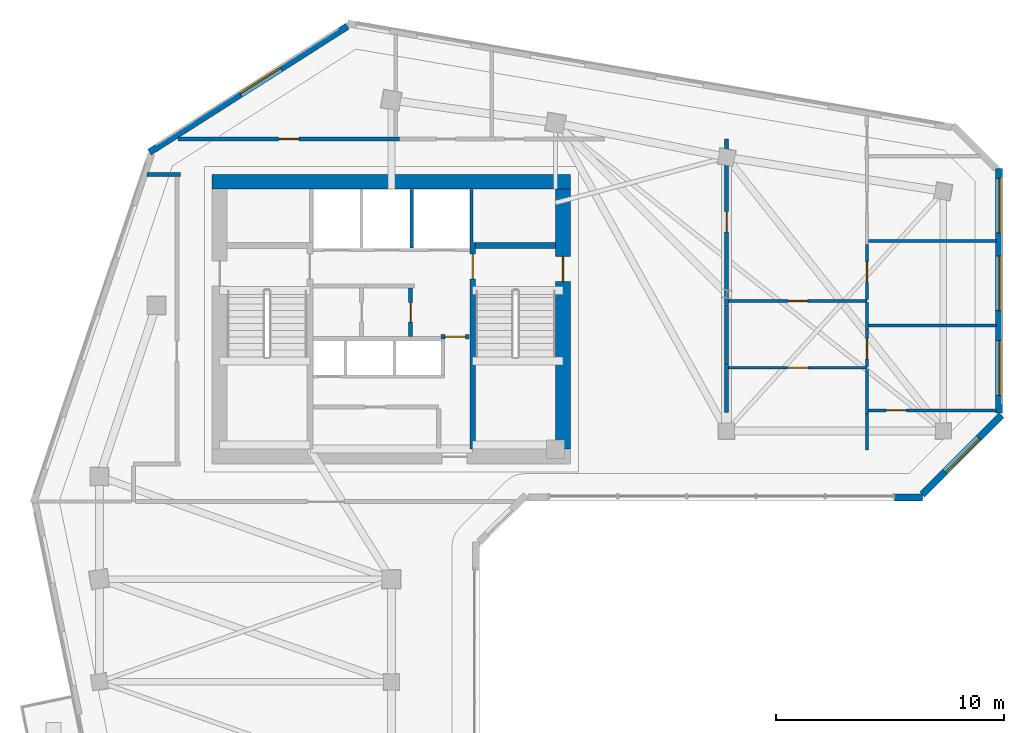
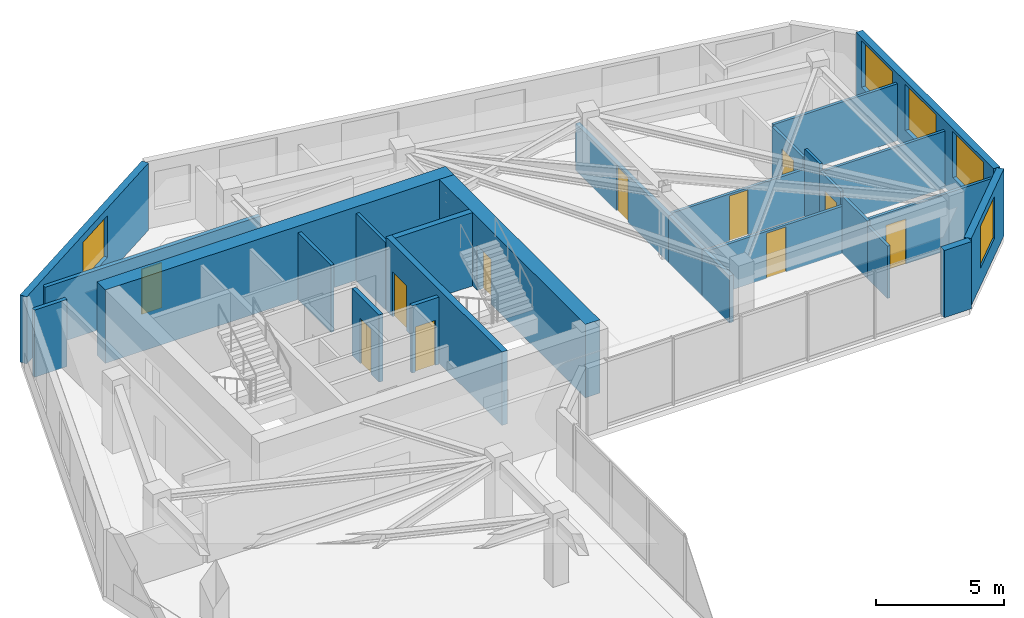
# One storey, part 6 of 10: 27 walls, 11 doors, 5 windows, 16 openings.
"""IFC4 building model written with IfcOpenShell, lengths in metres."""

from ifc_helpers import new_model, si_unit, direction, frame, frame_2d, origin, place, context, subcontext, project, spatial, rectangle, extrude, source, transform, mapped, material, layer, layer_set, type_object, element, fill, save


model = new_model("IFC4")

# Units and contexts
model_context = context("Model", 3, precision=1e-05, world=origin(), true_north=direction((0.0, 1.0)))
body_context = subcontext(model_context, "Body", "Model", "MODEL_VIEW")
ifc_project = project(units=[si_unit("LENGTHUNIT", "METRE"), si_unit("AREAUNIT", "SQUARE_METRE"), si_unit("VOLUMEUNIT", "CUBIC_METRE"), si_unit("PLANEANGLEUNIT", "RADIAN"), si_unit("MASSUNIT", "GRAM", prefix="KILO")], contexts=[model_context])

# Site, building, storey
site_placement = place(None, origin())
site = spatial("IfcSite", under=ifc_project, at=site_placement, CompositionType="ELEMENT")
building_placement = place(site_placement, origin())
building = spatial("IfcBuilding", under=site, at=building_placement, Name="Calvemar Wedge Station Tower", CompositionType="ELEMENT")
storey_placement = place(building_placement, frame((0.0, 0.0, 207.89990234375)))
storey = spatial("IfcBuildingStorey", under=building, at=storey_placement, Name="L52", CompositionType="ELEMENT", Elevation=207.89990234375)

# Wall, opening, door
ifc_material_1 = material(Name="Concrete C50", Category="concrete")
ifc_layer_1 = layer(ifc_material_1, 0.260009765625)
ifc_layer_set_1 = layer_set([ifc_layer_1], Name="Concrete C50")
wall_type_1 = type_object("IfcWallType", Name="SW-CORE-260", PredefinedType="SHEAR", material=ifc_layer_set_1)
wall_1_placement = place(storey_placement, frame((27.3701171875, 34.199951171875, 0.0), z_axis=(0.0, 0.0, 1.0), x_axis=(0.0, 1.0, 0.0)))
wall_1 = element("IfcWall", 1, at=wall_1_placement, inside=storey, type_object=wall_type_1, Name="Storey L52 Core Shear Wall SPINE-E", PredefinedType="SHEAR", context=body_context, shape_type="SweptSolid", body=[
    extrude(rectangle(XDim=9.06005859375, YDim=0.260009765625, at=frame_2d((4.530029296875, 0.0))), origin(), (0.0, 0.0, 1.0), 3.5),
])
shared_shape_1 = source(origin(), body_context, "Body", "SweptSolid", [
    extrude(rectangle(XDim=1.10009765625, YDim=2.14990234375, at=frame_2d((0.550048828125, 1.074951171875))), frame((0.0, 0.14013671875, 0.0), z_axis=(0.0, -1.0, 0.0), x_axis=(1.0, 0.0, 0.0)), (0.0, 0.0, 1.0), 0.280029296875),
])
opening_1_placement = place(wall_1_placement, frame((7.449951171875, 0.0, 0.0)))
opening_1 = element("IfcOpeningElement", 2, at=opening_1_placement, cuts=wall_1, Name="Opening FD-90", PredefinedType="OPENING", context=body_context, shape_type="MappedRepresentation", body=[
    mapped(shared_shape_1, transform((0.0, 0.0, 0.0), scale=1.0)),
])
ifc_material_2 = material(Name="Galvanized fire-rated steel door leaf P-90", Category="steel")
door_type_1 = type_object("IfcDoorType", Name="DR-FD90-1100", OperationType="NOTDEFINED", PredefinedType="DOOR", material=ifc_material_2)
shared_shape_2 = source(origin(), body_context, "Body", "SweptSolid", [
    extrude(rectangle(XDim=1.10009765625, YDim=2.14990234375, at=frame_2d((0.550048828125, 1.074951171875))), frame((0.0, 0.02490234375, 0.0), z_axis=(0.0, -1.0, 0.0), x_axis=(1.0, 0.0, 0.0)), (0.0, 0.0, 1.0), 0.050048828125),
])
door_1_placement = place(opening_1_placement, origin())
door_1 = element("IfcDoor", 3, at=door_1_placement, inside=storey, type_object=door_type_1, Name="L52 FF Lobby to Stair ST-C2 Door", OperationType="SINGLE_SWING_RIGHT", OverallHeight=2.14990234375, OverallWidth=1.10009765625, PredefinedType="DOOR", context=body_context, shape_type="MappedRepresentation", body=[
    mapped(shared_shape_2, transform((0.0, 0.0, 0.0), scale=1.0)),
])
fill(opening_1, door_1)

# Walls
wall_2_placement = place(storey_placement, frame((27.5, 43.1298828125, 0.0), z_axis=(0.0, 0.0, 1.0), x_axis=(1.0, 0.0, 0.0)))
element("IfcWall", 4, at=wall_2_placement, inside=storey, type_object=wall_type_1, Name="Storey L52 Core Shear Wall STC2-N", PredefinedType="SHEAR", context=body_context, shape_type="SweptSolid", body=[
    extrude(rectangle(XDim=3.5, YDim=0.260009765625, at=frame_2d((1.75, 0.0))), origin(), (0.0, 0.0, 1.0), 3.5),
])
ifc_material_3 = material(Name="Concrete C60", Category="concrete")
ifc_layer_2 = layer(ifc_material_3, 0.64990234375)
ifc_layer_set_2 = layer_set([ifc_layer_2], Name="Concrete C60")
wall_type_2 = type_object("IfcWallType", Name="SW-CORE-650", PredefinedType="SHEAR", material=ifc_layer_set_2)
wall_3_placement = place(storey_placement, frame((15.949951171875, 45.925048828125, 0.0), z_axis=(0.0, 0.0, 1.0), x_axis=(1.0, 0.0, 0.0)))
element("IfcWall", 5, at=wall_3_placement, inside=storey, type_object=wall_type_2, Name="Storey L52 Core Shear Wall N", PredefinedType="SHEAR", context=body_context, shape_type="SweptSolid", body=[
    extrude(rectangle(XDim=15.699951171875, YDim=0.64990234375, at=frame_2d((7.85009765625, 0.0))), origin(), (0.0, 0.0, 1.0), 3.5),
])

# Wall, opening, door
wall_4_placement = place(storey_placement, frame((31.324951171875, 34.199951171875, 0.0), z_axis=(0.0, 0.0, 1.0), x_axis=(0.0, 1.0, 0.0)))
wall_4 = element("IfcWall", 6, at=wall_4_placement, inside=storey, type_object=wall_type_2, Name="Storey L52 Core Shear Wall E", PredefinedType="SHEAR", context=body_context, shape_type="SweptSolid", body=[
    extrude(rectangle(XDim=11.400146484375, YDim=0.64990234375, at=frame_2d((5.7001953125, 0.0))), origin(), (0.0, 0.0, 1.0), 3.5),
])
shared_shape_3 = source(origin(), body_context, "Body", "SweptSolid", [
    extrude(rectangle(XDim=1.10009765625, YDim=2.14990234375, at=frame_2d((0.550048828125, 1.074951171875))), frame((0.0, 0.3349609375, 0.0), z_axis=(0.0, -1.0, 0.0), x_axis=(1.0, 0.0, 0.0)), (0.0, 0.0, 1.0), 0.669921875),
])
opening_2_placement = place(wall_4_placement, frame((7.35009765625, 0.0, 0.0)))
opening_2 = element("IfcOpeningElement", 7, at=opening_2_placement, cuts=wall_4, Name="Opening FD-90", PredefinedType="OPENING", context=body_context, shape_type="MappedRepresentation", body=[
    mapped(shared_shape_3, transform((0.0, 0.0, 0.0), scale=1.0)),
])
door_2_placement = place(opening_2_placement, origin())
door_2 = element("IfcDoor", 8, at=door_2_placement, inside=storey, type_object=door_type_1, Name="L52 East Corridor to Exit Stair ST-C2 Door", OperationType="SINGLE_SWING_RIGHT", OverallHeight=2.14990234375, OverallWidth=1.10009765625, PredefinedType="DOOR", context=body_context, shape_type="MappedRepresentation", body=[
    mapped(shared_shape_2, transform((0.0, 0.0, 0.0), scale=1.0)),
])
fill(opening_2, door_2)

ifc_material_4 = material(Name="Double-stud fire-rated corridor partition")
ifc_layer_3 = layer(ifc_material_4, 0.179931640625)
ifc_layer_set_3 = layer_set([ifc_layer_3], Name="Double-stud fire-rated corridor partition")
wall_type_3 = type_object("IfcWallType", Name="W-CORR-180", PredefinedType="PARTITIONING", material=ifc_layer_set_3)
wall_5_placement = place(storey_placement, frame((24.64990234375, 41.256103515625, 0.0), z_axis=(0.0, 0.0, 1.0), x_axis=(0.0, -1.0, 0.0)))
wall_5 = element("IfcWall", 9, at=wall_5_placement, inside=storey, type_object=wall_type_3, Name="Storey L52 Interior Partition WL-L52-004", PredefinedType="PARTITIONING", context=body_context, shape_type="SweptSolid", body=[
    extrude(rectangle(XDim=2.106201171875, YDim=0.179931640625, at=frame_2d((1.05322265625, 0.0))), origin(), (0.0, 0.0, 1.0), 3.2001953125),
])
shared_shape_4 = source(origin(), body_context, "Body", "SweptSolid", [
    extrude(rectangle(XDim=0.85009765625, YDim=2.14990234375, at=frame_2d((0.425048828125, 1.074951171875))), frame((0.0, 0.10009765625, 0.0), z_axis=(0.0, -1.0, 0.0), x_axis=(1.0, 0.0, 0.0)), (0.0, 0.0, 1.0), 0.199951171875),
])
opening_3_placement = place(wall_5_placement, frame((0.6279296875, 0.0, 0.0)))
opening_3 = element("IfcOpeningElement", 10, at=opening_3_placement, cuts=wall_5, Name="Opening FD-60S", PredefinedType="OPENING", context=body_context, shape_type="MappedRepresentation", body=[
    mapped(shared_shape_4, transform((0.0, 0.0, 0.0), scale=1.0)),
])
ifc_material_5 = material(Name="Fire-rated steel and hardwood service door EI 60", Category="steel")
door_type_2 = type_object("IfcDoorType", Name="DR-CORE-FD60-850", OperationType="NOTDEFINED", PredefinedType="DOOR", material=ifc_material_5)
shared_shape_5 = source(origin(), body_context, "Body", "SweptSolid", [
    extrude(rectangle(XDim=0.85009765625, YDim=2.14990234375, at=frame_2d((0.425048828125, 1.074951171875))), frame((0.0, 0.02490234375, 0.0), z_axis=(0.0, -1.0, 0.0), x_axis=(1.0, 0.0, 0.0)), (0.0, 0.0, 1.0), 0.050048828125),
])
door_3_placement = place(opening_3_placement, origin())
door_3 = element("IfcDoor", 11, at=door_3_placement, inside=storey, type_object=door_type_2, Name="L52 Core Equipment Store Door", OperationType="SINGLE_SWING_LEFT", OverallHeight=2.14990234375, OverallWidth=0.85009765625, PredefinedType="DOOR", context=body_context, shape_type="MappedRepresentation", body=[
    mapped(shared_shape_5, transform((0.0, 0.0, 0.0), scale=1.0)),
])
fill(opening_3, door_3)

wall_6_placement = place(storey_placement, frame((27.199951171875, 39.1298828125, 0.0), z_axis=(0.0, 0.0, 1.0), x_axis=(-1.0, 0.0, 0.0)))
wall_6 = element("IfcWall", 12, at=wall_6_placement, inside=storey, type_object=wall_type_3, Name="Storey L52 Interior Partition WL-L52-005", PredefinedType="PARTITIONING", context=body_context, shape_type="SweptSolid", body=[
    extrude(rectangle(XDim=1.2099609375, YDim=0.179931640625, at=frame_2d((0.60498046875, 0.0))), origin(), (0.0, 0.0, 1.0), 3.2001953125),
])
shared_shape_6 = source(origin(), body_context, "Body", "SweptSolid", [
    extrude(rectangle(XDim=0.89990234375, YDim=2.14990234375, at=frame_2d((0.449951171875, 1.074951171875))), frame((0.0, 0.10009765625, 0.0), z_axis=(0.0, -1.0, 0.0), x_axis=(1.0, 0.0, 0.0)), (0.0, 0.0, 1.0), 0.199951171875),
])
opening_4_placement = place(wall_6_placement, frame((0.155029296875, 0.0, 0.0)))
opening_4 = element("IfcOpeningElement", 13, at=opening_4_placement, cuts=wall_6, Name="Opening FD-60", PredefinedType="OPENING", context=body_context, shape_type="MappedRepresentation", body=[
    mapped(shared_shape_6, transform((0.0, 0.0, 0.0), scale=1.0)),
])
ifc_material_6 = material(Name="Fire-rated acoustic timber-core entrance door EI 60", Category="wood")
door_type_3 = type_object("IfcDoorType", Name="DR-FD60-900", OperationType="NOTDEFINED", PredefinedType="DOOR", material=ifc_material_6)
shared_shape_7 = source(origin(), body_context, "Body", "SweptSolid", [
    extrude(rectangle(XDim=0.89990234375, YDim=2.14990234375, at=frame_2d((0.449951171875, 1.074951171875))), frame((0.0, 0.02490234375, 0.0), z_axis=(0.0, -1.0, 0.0), x_axis=(1.0, 0.0, 0.0)), (0.0, 0.0, 1.0), 0.050048828125),
])
door_4_placement = place(opening_4_placement, origin())
door_4 = element("IfcDoor", 14, at=door_4_placement, inside=storey, type_object=door_type_3, Name="L52 Core Service Lobby Door", OperationType="SINGLE_SWING_RIGHT", OverallHeight=2.14990234375, OverallWidth=0.89990234375, PredefinedType="DOOR", context=body_context, shape_type="MappedRepresentation", body=[
    mapped(shared_shape_7, transform((0.0, 0.0, 0.0), scale=1.0)),
])
fill(opening_4, door_4)

# Wall
wall_7_placement = place(storey_placement, frame((14.56005859375, 46.25, 0.0), z_axis=(0.0, 0.0, 1.0), x_axis=(-1.0, 0.0, 0.0)))
element("IfcWall", 15, at=wall_7_placement, inside=storey, type_object=wall_type_3, Name="Storey L52 Interior Partition WL-L52-012", PredefinedType="PARTITIONING", context=body_context, shape_type="SweptSolid", body=[
    extrude(rectangle(XDim=1.46875, YDim=0.179931640625, at=frame_2d((0.734375, 0.0))), origin(), (0.0, 0.0, 1.0), 3.2001953125),
])

# Wall, opening, door
wall_8_placement = place(storey_placement, frame((14.45263671875, 47.800048828125, 0.0), z_axis=(0.0, 0.0, 1.0), x_axis=(1.0, 0.0, 0.0)))
wall_8 = element("IfcWall", 16, at=wall_8_placement, inside=storey, type_object=wall_type_3, Name="Storey L52 Interior Partition WL-L52-013", PredefinedType="PARTITIONING", context=body_context, shape_type="SweptSolid", body=[
    extrude(rectangle(XDim=9.707275390625, YDim=0.179931640625, at=frame_2d((4.853515625, 0.0))), origin(), (0.0, 0.0, 1.0), 2.869140625),
])
opening_5_placement = place(wall_8_placement, frame((4.40380859375, 0.0, 0.0)))
opening_5 = element("IfcOpeningElement", 17, at=opening_5_placement, cuts=wall_8, Name="Opening D-01", PredefinedType="OPENING", context=body_context, shape_type="MappedRepresentation", body=[
    mapped(shared_shape_6, transform((0.0, 0.0, 0.0), scale=1.0)),
])
ifc_material_7 = material(Name="Architectural hardwood acoustic swing door", Category="wood")
door_type_4 = type_object("IfcDoorType", Name="DR-INT-900", OperationType="NOTDEFINED", PredefinedType="DOOR", material=ifc_material_7)
shared_shape_8 = source(origin(), body_context, "Body", "SweptSolid", [
    extrude(rectangle(XDim=0.89990234375, YDim=2.14990234375, at=frame_2d((0.449951171875, 1.074951171875))), frame((0.0, 0.02490234375, 0.0), z_axis=(0.0, -1.0, 0.0), x_axis=(1.0, 0.0, 0.0)), (0.0, 0.0, 1.0), 0.050048828125),
])
door_5_placement = place(opening_5_placement, origin())
door_5 = element("IfcDoor", 18, at=door_5_placement, inside=storey, type_object=door_type_4, Name="L52 Fitness Studio Door", OperationType="SINGLE_SWING_LEFT", OverallHeight=2.14990234375, OverallWidth=0.89990234375, PredefinedType="DOOR", context=body_context, shape_type="MappedRepresentation", body=[
    mapped(shared_shape_8, transform((0.0, 0.0, 0.0), scale=1.0)),
])
fill(opening_5, door_5)

# Wall
wall_9_placement = place(storey_placement, frame((38.5, 37.927978515625, 0.0), z_axis=(0.0, 0.0, 1.0), x_axis=(0.0, -1.0, 0.0)))
element("IfcWall", 19, at=wall_9_placement, inside=storey, type_object=wall_type_3, Name="Storey L52 Interior Partition WL-L52-019", PredefinedType="PARTITIONING", context=body_context, shape_type="SweptSolid", body=[
    extrude(rectangle(XDim=2.1279296875, YDim=0.179931640625, at=frame_2d((1.06396484375, 0.0))), origin(), (0.0, 0.0, 1.0), 2.2421875),
])

# Wall, opening, door
wall_10_placement = place(storey_placement, frame((38.5, 47.800048828125, 0.0), z_axis=(0.0, 0.0, 1.0), x_axis=(0.0, -1.0, 0.0)))
wall_10 = element("IfcWall", 20, at=wall_10_placement, inside=storey, type_object=wall_type_3, Name="Storey L52 Interior Partition WL-L52-020", PredefinedType="PARTITIONING", context=body_context, shape_type="SweptSolid", body=[
    extrude(rectangle(XDim=7.26708984375, YDim=0.179931640625, at=frame_2d((3.633544921875, 0.0))), origin(), (0.0, 0.0, 1.0), 2.2421875),
])
opening_6_placement = place(wall_10_placement, frame((3.18359375, 0.0, 0.0)))
opening_6 = element("IfcOpeningElement", 21, at=opening_6_placement, cuts=wall_10, Name="Opening FD-60", PredefinedType="OPENING", context=body_context, shape_type="MappedRepresentation", body=[
    mapped(shared_shape_6, transform((0.0, 0.0, 0.0), scale=1.0)),
])
door_6_placement = place(opening_6_placement, origin())
door_6 = element("IfcDoor", 22, at=door_6_placement, inside=storey, type_object=door_type_3, Name="L52 Living Dining Door", OperationType="SINGLE_SWING_LEFT", OverallHeight=2.14990234375, OverallWidth=0.89990234375, PredefinedType="DOOR", context=body_context, shape_type="MappedRepresentation", body=[
    mapped(shared_shape_7, transform((0.0, 0.0, 0.0), scale=1.0)),
])
fill(opening_6, door_6)

# Walls
wall_11_placement = place(storey_placement, frame((38.5, 40.531005859375, 0.0), z_axis=(0.0, 0.0, 1.0), x_axis=(0.0, -1.0, 0.0)))
element("IfcWall", 23, at=wall_11_placement, inside=storey, type_object=wall_type_3, Name="Storey L52 Interior Partition WL-L52-021", PredefinedType="PARTITIONING", context=body_context, shape_type="SweptSolid", body=[
    extrude(rectangle(XDim=2.60107421875, YDim=0.179931640625, at=frame_2d((1.300537109375, 0.0))), origin(), (0.0, 0.0, 1.0), 2.2421875),
])
ifc_material_8 = material(Name="Precast concrete C45", Category="concrete")
ifc_layer_4 = layer(ifc_material_8, 0.300048828125)
ifc_layer_set_4 = layer_set([ifc_layer_4], Name="Precast concrete C45")
wall_type_4 = type_object("IfcWallType", Name="W-EXT-GFRC-300", PredefinedType="SOLIDWALL", material=ifc_layer_set_4)
wall_12_placement = place(storey_placement, frame((45.8603515625, 32.073974609375, 0.0), z_axis=(0.0, 0.0, 1.0), x_axis=(1.0, 0.0, 0.0)))
element("IfcWall", 24, at=wall_12_placement, inside=storey, type_object=wall_type_4, Name="Storey L52 Bronze GFRC Corner Pier 6B", PredefinedType="SOLIDWALL", context=body_context, shape_type="SweptSolid", body=[
    extrude(rectangle(XDim=1.2275390625, YDim=0.300048828125, at=frame_2d((0.61376953125, 0.0))), origin(), (0.0, 0.0, 1.0), 3.2001953125),
])

# Wall, opening, window
wall_13_placement = place(storey_placement, frame((47.075927734375, 32.2119140625, 0.0), z_axis=(0.0, 0.0, 1.0), x_axis=(0.707106781187, 0.707106781187, 0.0)))
wall_13 = element("IfcWall", 25, at=wall_13_placement, inside=storey, type_object=wall_type_4, Name="Storey L52 Bronze GFRC Exterior Wall 7", PredefinedType="SOLIDWALL", context=body_context, shape_type="SweptSolid", body=[
    extrude(rectangle(XDim=4.921875, YDim=0.300048828125, at=frame_2d((2.4609375, 0.0))), origin(), (0.0, 0.0, 1.0), 3.2001953125),
])
shared_shape_9 = source(origin(), body_context, "Body", "SweptSolid", [
    extrude(rectangle(XDim=2.10009765625, YDim=2.0, at=frame_2d((1.050048828125, 1.0))), frame((0.0, 0.16015625, 0.0), z_axis=(0.0, -1.0, 0.0), x_axis=(1.0, 0.0, 0.0)), (0.0, 0.0, 1.0), 0.320068359375),
])
opening_7_placement = place(wall_13_placement, frame((1.410888671875, 0.0, 0.85009765625)))
opening_7 = element("IfcOpeningElement", 26, at=opening_7_placement, cuts=wall_13, Name="Opening W4", PredefinedType="OPENING", context=body_context, shape_type="MappedRepresentation", body=[
    mapped(shared_shape_9, transform((0.0, 0.0, 0.0), scale=1.0)),
])
ifc_material_9 = material(Name="Low-E laminated insulated glass", Category="glass")
window_type_1 = type_object("IfcWindowType", Name="WIN-EXT-4", PartitioningType="SINGLE_PANEL", PredefinedType="WINDOW", material=ifc_material_9)
shared_shape_10 = source(origin(), body_context, "Body", "SweptSolid", [
    extrude(rectangle(XDim=2.10009765625, YDim=2.0, at=frame_2d((1.050048828125, 1.0))), frame((0.0, -0.014892578125, 0.0), z_axis=(0.0, -1.0, 0.0), x_axis=(1.0, 0.0, 0.0)), (0.0, 0.0, 1.0), 0.06005859375),
])
window_1_placement = place(opening_7_placement, origin())
window_1 = element("IfcWindow", 27, at=window_1_placement, inside=storey, type_object=window_type_1, Name="Storey L52 Recessed Window 7.1", OverallHeight=2.0, OverallWidth=2.10009765625, PartitioningType="SINGLE_PANEL", PredefinedType="WINDOW", context=body_context, shape_type="MappedRepresentation", body=[
    mapped(shared_shape_10, transform((0.0, 0.0, 0.0), scale=1.0)),
])
fill(opening_7, window_1)

# Wall, openings, windows
wall_14_placement = place(storey_placement, frame((50.449951171875, 35.78125, 0.0), z_axis=(0.0, 0.0, 1.0), x_axis=(0.0, 1.0, 0.0)))
wall_14 = element("IfcWall", 28, at=wall_14_placement, inside=storey, type_object=wall_type_4, Name="Storey L52 Bronze GFRC Exterior Wall 8", PredefinedType="SOLIDWALL", context=body_context, shape_type="SweptSolid", body=[
    extrude(rectangle(XDim=10.730712890625, YDim=0.300048828125, at=frame_2d((5.365234375, 0.0))), origin(), (0.0, 0.0, 1.0), 3.2001953125),
])
shared_shape_11 = source(origin(), body_context, "Body", "SweptSolid", [
    extrude(rectangle(XDim=2.39990234375, YDim=2.199951171875, at=frame_2d((1.199951171875, 1.10009765625))), frame((0.0, 0.16015625, 0.0), z_axis=(0.0, -1.0, 0.0), x_axis=(1.0, 0.0, 0.0)), (0.0, 0.0, 1.0), 0.320068359375),
])
opening_8_placement = place(wall_14_placement, frame((0.778076171875, 0.0, 0.85009765625)))
opening_8 = element("IfcOpeningElement", 29, at=opening_8_placement, cuts=wall_14, Name="Opening W1", PredefinedType="OPENING", context=body_context, shape_type="MappedRepresentation", body=[
    mapped(shared_shape_11, transform((0.0, 0.0, 0.0), scale=1.0)),
])
opening_9_placement = place(wall_14_placement, frame((4.490966796875, 0.0, 0.85009765625)))
opening_9 = element("IfcOpeningElement", 30, at=opening_9_placement, cuts=wall_14, Name="Opening W1", PredefinedType="OPENING", context=body_context, shape_type="MappedRepresentation", body=[
    mapped(shared_shape_11, transform((0.0, 0.0, 0.0), scale=1.0)),
])
opening_10_placement = place(wall_14_placement, frame((7.888916015625, 0.0, 0.85009765625)))
opening_10 = element("IfcOpeningElement", 31, at=opening_10_placement, cuts=wall_14, Name="Opening W1", PredefinedType="OPENING", context=body_context, shape_type="MappedRepresentation", body=[
    mapped(shared_shape_11, transform((0.0, 0.0, 0.0), scale=1.0)),
])
window_type_2 = type_object("IfcWindowType", Name="WIN-EXT-1", PartitioningType="SINGLE_PANEL", PredefinedType="WINDOW", material=ifc_material_9)
shared_shape_12 = source(origin(), body_context, "Body", "SweptSolid", [
    extrude(rectangle(XDim=2.39990234375, YDim=2.199951171875, at=frame_2d((1.199951171875, 1.10009765625))), frame((0.0, -0.014892578125, 0.0), z_axis=(0.0, -1.0, 0.0), x_axis=(1.0, 0.0, 0.0)), (0.0, 0.0, 1.0), 0.06005859375),
])
window_2_placement = place(opening_8_placement, origin())
window_2 = element("IfcWindow", 32, at=window_2_placement, inside=storey, type_object=window_type_2, Name="Storey L52 Recessed Window 8.1", OverallHeight=2.199951171875, OverallWidth=2.39990234375, PartitioningType="SINGLE_PANEL", PredefinedType="WINDOW", context=body_context, shape_type="MappedRepresentation", body=[
    mapped(shared_shape_12, transform((0.0, 0.0, 0.0), scale=1.0)),
])
fill(opening_8, window_2)
window_3_placement = place(opening_9_placement, origin())
window_3 = element("IfcWindow", 33, at=window_3_placement, inside=storey, type_object=window_type_2, Name="Storey L52 Recessed Window 8.2", OverallHeight=2.199951171875, OverallWidth=2.39990234375, PartitioningType="SINGLE_PANEL", PredefinedType="WINDOW", context=body_context, shape_type="MappedRepresentation", body=[
    mapped(shared_shape_12, transform((0.0, 0.0, 0.0), scale=1.0)),
])
fill(opening_9, window_3)
window_4_placement = place(opening_10_placement, origin())
window_4 = element("IfcWindow", 34, at=window_4_placement, inside=storey, type_object=window_type_2, Name="Storey L52 Recessed Window 8.3", OverallHeight=2.199951171875, OverallWidth=2.39990234375, PartitioningType="SINGLE_PANEL", PredefinedType="WINDOW", context=body_context, shape_type="MappedRepresentation", body=[
    mapped(shared_shape_12, transform((0.0, 0.0, 0.0), scale=1.0)),
])
fill(opening_10, window_4)

# Wall, opening, window
wall_15_placement = place(storey_placement, frame((21.87451171875, 52.7421875, 0.0), z_axis=(0.0, 0.0, 1.0), x_axis=(-0.843666375448, -0.536867811419, 0.0)))
wall_15 = element("IfcWall", 35, at=wall_15_placement, inside=storey, type_object=wall_type_4, Name="Storey L52 Bronze GFRC Exterior Wall 11", PredefinedType="SOLIDWALL", context=body_context, shape_type="SweptSolid", body=[
    extrude(rectangle(XDim=10.28369140625, YDim=0.300048828125, at=frame_2d((5.141845703125, 0.0))), origin(), (0.0, 0.0, 1.0), 3.2001953125),
])
opening_11_placement = place(wall_15_placement, frame((3.45703125, 0.0, 0.85009765625)))
opening_11 = element("IfcOpeningElement", 36, at=opening_11_placement, cuts=wall_15, Name="Opening W4", PredefinedType="OPENING", context=body_context, shape_type="MappedRepresentation", body=[
    mapped(shared_shape_9, transform((0.0, 0.0, 0.0), scale=1.0)),
])
window_5_placement = place(opening_11_placement, origin())
window_5 = element("IfcWindow", 37, at=window_5_placement, inside=storey, type_object=window_type_1, Name="Storey L52 Recessed Window 11.1", OverallHeight=2.0, OverallWidth=2.10009765625, PartitioningType="SINGLE_PANEL", PredefinedType="WINDOW", context=body_context, shape_type="MappedRepresentation", body=[
    mapped(shared_shape_10, transform((0.0, 0.0, 0.0), scale=1.0)),
])
fill(opening_11, window_5)

# Walls
ifc_material_10 = material(Name="Reinforced concrete blockwork lift shaft wall", Category="masonry")
ifc_layer_5 = layer(ifc_material_10, 0.139892578125)
ifc_layer_set_5 = layer_set([ifc_layer_5], Name="Reinforced concrete blockwork lift shaft wall")
wall_type_5 = type_object("IfcWallType", Name="W-LIFT-160", PredefinedType="SOLIDWALL", material=ifc_layer_set_5)
wall_16_placement = place(storey_placement, frame((27.31005859375, 43.280029296875, 0.0), z_axis=(0.0, 0.0, 1.0), x_axis=(0.0, 1.0, 0.0)))
element("IfcWall", 38, at=wall_16_placement, inside=storey, type_object=wall_type_5, Name="Storey L52 Firefighting Lift Shaft Enclosure Wall E", PredefinedType="SOLIDWALL", context=body_context, shape_type="SweptSolid", body=[
    extrude(rectangle(XDim=2.300048828125, YDim=0.139892578125, at=frame_2d((1.14990234375, 0.0))), origin(), (0.0, 0.0, 1.0), 3.2001953125),
])
wall_17_placement = place(storey_placement, frame((24.699951171875, 43.02001953125, 0.0), z_axis=(0.0, 0.0, 1.0), x_axis=(0.0, 1.0, 0.0)))
element("IfcWall", 39, at=wall_17_placement, inside=storey, type_object=wall_type_5, Name="Storey L52 Firefighting Lift Shaft Enclosure Wall D2", PredefinedType="SOLIDWALL", context=body_context, shape_type="SweptSolid", body=[
    extrude(rectangle(XDim=2.56005859375, YDim=0.139892578125, at=frame_2d((1.280029296875, 0.0))), origin(), (0.0, 0.0, 1.0), 3.2001953125),
])

# Wall, opening, door
ifc_material_11 = material(Name="Insulated acoustic gypsum stud partition")
ifc_layer_6 = layer(ifc_material_11, 0.125)
ifc_layer_set_6 = layer_set([ifc_layer_6], Name="Insulated acoustic gypsum stud partition")
wall_type_6 = type_object("IfcWallType", Name="W-PART-125", PredefinedType="PARTITIONING", material=ifc_layer_set_6)
wall_18_placement = place(storey_placement, frame((38.593994140625, 37.76806640625, 0.0), z_axis=(0.0, 0.0, 1.0), x_axis=(1.0, 0.0, 0.0)))
wall_18 = element("IfcWall", 40, at=wall_18_placement, inside=storey, type_object=wall_type_6, Name="Storey L52 Interior Partition WL-L52-022", PredefinedType="PARTITIONING", context=body_context, shape_type="SweptSolid", body=[
    extrude(rectangle(XDim=6.06005859375, YDim=0.125, at=frame_2d((3.030029296875, 0.0))), origin(), (0.0, 0.0, 1.0), 2.2421875),
])
shared_shape_13 = source(origin(), body_context, "Body", "SweptSolid", [
    extrude(rectangle(XDim=0.89990234375, YDim=2.14990234375, at=frame_2d((0.449951171875, 1.074951171875))), frame((0.0, 0.072509765625, 0.0), z_axis=(0.0, -1.0, 0.0), x_axis=(1.0, 0.0, 0.0)), (0.0, 0.0, 1.0), 0.14501953125),
])
opening_12_placement = place(wall_18_placement, frame((2.580078125, 0.0, 0.0)))
opening_12 = element("IfcOpeningElement", 41, at=opening_12_placement, cuts=wall_18, Name="Opening D-01", PredefinedType="OPENING", context=body_context, shape_type="MappedRepresentation", body=[
    mapped(shared_shape_13, transform((0.0, 0.0, 0.0), scale=1.0)),
])
door_7_placement = place(opening_12_placement, origin())
door_7 = element("IfcDoor", 42, at=door_7_placement, inside=storey, type_object=door_type_4, Name="L52 Study Door", OperationType="SINGLE_SWING_RIGHT", OverallHeight=2.14990234375, OverallWidth=0.89990234375, PredefinedType="DOOR", context=body_context, shape_type="MappedRepresentation", body=[
    mapped(shared_shape_8, transform((0.0, 0.0, 0.0), scale=1.0)),
])
fill(opening_12, door_7)

# Walls
wall_19_placement = place(storey_placement, frame((44.654052734375, 37.701416015625, 0.0), z_axis=(0.0, 0.0, 1.0), x_axis=(0.0, -1.0, 0.0)))
element("IfcWall", 43, at=wall_19_placement, inside=storey, type_object=wall_type_6, Name="Storey L52 Interior Partition WL-L52-023", PredefinedType="PARTITIONING", context=body_context, shape_type="SweptSolid", body=[
    extrude(rectangle(XDim=1.95849609375, YDim=0.125, at=frame_2d((0.979248046875, 0.0))), origin(), (0.0, 0.0, 1.0), 2.72900390625),
])
wall_20_placement = place(storey_placement, frame((44.654052734375, 35.740966796875, 0.0), z_axis=(0.0, 0.0, 1.0), x_axis=(0.0, -1.0, 0.0)))
element("IfcWall", 44, at=wall_20_placement, inside=storey, type_object=wall_type_6, Name="Storey L52 Interior Partition WL-L52-024", PredefinedType="PARTITIONING", context=body_context, shape_type="SweptSolid", body=[
    extrude(rectangle(XDim=1.572998046875, YDim=0.125, at=frame_2d((0.78662109375, 0.0))), origin(), (0.0, 0.0, 1.0), 2.4921875),
])

# Wall, opening, door
wall_21_placement = place(storey_placement, frame((44.654052734375, 40.693115234375, 0.0), z_axis=(0.0, 0.0, 1.0), x_axis=(-1.0, 0.0, 0.0)))
wall_21 = element("IfcWall", 45, at=wall_21_placement, inside=storey, type_object=wall_type_6, Name="Storey L52 Interior Partition WL-L52-025", PredefinedType="PARTITIONING", context=body_context, shape_type="SweptSolid", body=[
    extrude(rectangle(XDim=6.06005859375, YDim=0.125, at=frame_2d((3.030029296875, 0.0))), origin(), (0.0, 0.0, 1.0), 2.2421875),
])
shared_shape_14 = source(origin(), body_context, "Body", "SweptSolid", [
    extrude(rectangle(XDim=0.85009765625, YDim=2.14990234375, at=frame_2d((0.425048828125, 1.074951171875))), frame((0.0, 0.072509765625, 0.0), z_axis=(0.0, -1.0, 0.0), x_axis=(1.0, 0.0, 0.0)), (0.0, 0.0, 1.0), 0.14501953125),
])
opening_13_placement = place(wall_21_placement, frame((2.60498046875, 0.0, 0.0)))
opening_13 = element("IfcOpeningElement", 46, at=opening_13_placement, cuts=wall_21, Name="Opening D-02", PredefinedType="OPENING", context=body_context, shape_type="MappedRepresentation", body=[
    mapped(shared_shape_14, transform((0.0, 0.0, 0.0), scale=1.0)),
])
ifc_material_12 = material(Name="Moisture-sealed bathroom hardwood swing door", Category="wood")
door_type_5 = type_object("IfcDoorType", Name="DR-WET-850", OperationType="NOTDEFINED", PredefinedType="DOOR", material=ifc_material_12)
shared_shape_15 = source(origin(), body_context, "Body", "SweptSolid", [
    extrude(rectangle(XDim=0.85009765625, YDim=2.14990234375, at=frame_2d((0.425048828125, 1.074951171875))), frame((0.0, 0.02490234375, 0.0), z_axis=(0.0, -1.0, 0.0), x_axis=(1.0, 0.0, 0.0)), (0.0, 0.0, 1.0), 0.050048828125),
])
door_8_placement = place(opening_13_placement, origin())
door_8 = element("IfcDoor", 47, at=door_8_placement, inside=storey, type_object=door_type_5, Name="L52 Kitchen Door", OperationType="SINGLE_SWING_RIGHT", OverallHeight=2.14990234375, OverallWidth=0.85009765625, PredefinedType="DOOR", context=body_context, shape_type="MappedRepresentation", body=[
    mapped(shared_shape_15, transform((0.0, 0.0, 0.0), scale=1.0)),
])
fill(opening_13, door_8)

wall_22_placement = place(storey_placement, frame((44.654052734375, 43.1669921875, 0.0), z_axis=(0.0, 0.0, 1.0), x_axis=(0.0, -1.0, 0.0)))
wall_22 = element("IfcWall", 48, at=wall_22_placement, inside=storey, type_object=wall_type_6, Name="Storey L52 Interior Partition WL-L52-028", PredefinedType="PARTITIONING", context=body_context, shape_type="SweptSolid", body=[
    extrude(rectangle(XDim=2.407470703125, YDim=0.125, at=frame_2d((1.20361328125, 0.0))), origin(), (0.0, 0.0, 1.0), 2.72900390625),
])
opening_14_placement = place(wall_22_placement, frame((0.753662109375, 0.0, 0.0)))
opening_14 = element("IfcOpeningElement", 49, at=opening_14_placement, cuts=wall_22, Name="Opening D-01", PredefinedType="OPENING", context=body_context, shape_type="MappedRepresentation", body=[
    mapped(shared_shape_13, transform((0.0, 0.0, 0.0), scale=1.0)),
])
door_9_placement = place(opening_14_placement, origin())
door_9 = element("IfcDoor", 50, at=door_9_placement, inside=storey, type_object=door_type_4, Name="L52 Bedroom Door", OperationType="SINGLE_SWING_LEFT", OverallHeight=2.14990234375, OverallWidth=0.89990234375, PredefinedType="DOOR", context=body_context, shape_type="MappedRepresentation", body=[
    mapped(shared_shape_8, transform((0.0, 0.0, 0.0), scale=1.0)),
])
fill(opening_14, door_9)

# Wall
wall_23_placement = place(storey_placement, frame((44.654052734375, 40.62646484375, 0.0), z_axis=(0.0, 0.0, 1.0), x_axis=(0.0, -1.0, 0.0)))
element("IfcWall", 51, at=wall_23_placement, inside=storey, type_object=wall_type_6, Name="Storey L52 Interior Partition WL-L52-029", PredefinedType="PARTITIONING", context=body_context, shape_type="SweptSolid", body=[
    extrude(rectangle(XDim=1.17041015625, YDim=0.125, at=frame_2d((0.585205078125, 0.0))), origin(), (0.0, 0.0, 1.0), 3.2001953125),
])

# Wall, opening, door
wall_24_placement = place(storey_placement, frame((44.654052734375, 39.4541015625, 0.0), z_axis=(0.0, 0.0, 1.0), x_axis=(0.0, -1.0, 0.0)))
wall_24 = element("IfcWall", 52, at=wall_24_placement, inside=storey, type_object=wall_type_6, Name="Storey L52 Interior Partition WL-L52-030", PredefinedType="PARTITIONING", context=body_context, shape_type="SweptSolid", body=[
    extrude(rectangle(XDim=1.61962890625, YDim=0.125, at=frame_2d((0.809814453125, 0.0))), origin(), (0.0, 0.0, 1.0), 2.869140625),
])
opening_15_placement = place(wall_24_placement, frame((0.399658203125, 0.0, 0.0)))
opening_15 = element("IfcOpeningElement", 53, at=opening_15_placement, cuts=wall_24, Name="Opening D-01", PredefinedType="OPENING", context=body_context, shape_type="MappedRepresentation", body=[
    mapped(shared_shape_13, transform((0.0, 0.0, 0.0), scale=1.0)),
])
door_10_placement = place(opening_15_placement, origin())
door_10 = element("IfcDoor", 54, at=door_10_placement, inside=storey, type_object=door_type_4, Name="L52 Bedroom Door", OperationType="SINGLE_SWING_RIGHT", OverallHeight=2.14990234375, OverallWidth=0.89990234375, PredefinedType="DOOR", context=body_context, shape_type="MappedRepresentation", body=[
    mapped(shared_shape_8, transform((0.0, 0.0, 0.0), scale=1.0)),
])
fill(opening_15, door_10)

# Walls
for number, where, z_axis, x_axis, name in (
    (55, (50.3349609375, 43.3291015625, 0.0), (0.0, 0.0, 1.0), (-1.0, 0.0, 0.0), "Storey L52 Interior Partition WL-L52-032"),
    (56, (50.3349609375, 39.615966796875, 0.0), (0.0, 0.0, 1.0), (-1.0, 0.0, 0.0), "Storey L52 Interior Partition WL-L52-033"),
):
    element("IfcWall", number, at=place(storey_placement, frame(where, z_axis=z_axis, x_axis=x_axis)), inside=storey, type_object=wall_type_6, Name=name, PredefinedType="PARTITIONING", context=body_context, shape_type="SweptSolid", body=[
        extrude(rectangle(XDim=5.614501953125, YDim=0.125, at=frame_2d((2.80712890625, 0.0))), origin(), (0.0, 0.0, 1.0), 2.716064453125),
    ])

# Wall, opening, door
wall_25_placement = place(storey_placement, frame((50.3349609375, 35.903076171875, 0.0), z_axis=(0.0, 0.0, 1.0), x_axis=(-1.0, 0.0, 0.0)))
wall_25 = element("IfcWall", 57, at=wall_25_placement, inside=storey, type_object=wall_type_6, Name="Storey L52 Interior Partition WL-L52-034", PredefinedType="PARTITIONING", context=body_context, shape_type="SweptSolid", body=[
    extrude(rectangle(XDim=5.614501953125, YDim=0.125, at=frame_2d((2.80712890625, 0.0))), origin(), (0.0, 0.0, 1.0), 2.716064453125),
])
opening_16_placement = place(wall_25_placement, frame((3.94580078125, 0.0, 0.0)))
opening_16 = element("IfcOpeningElement", 58, at=opening_16_placement, cuts=wall_25, Name="Opening D-01", PredefinedType="OPENING", context=body_context, shape_type="MappedRepresentation", body=[
    mapped(shared_shape_13, transform((0.0, 0.0, 0.0), scale=1.0)),
])
door_11_placement = place(opening_16_placement, origin())
door_11 = element("IfcDoor", 59, at=door_11_placement, inside=storey, type_object=door_type_4, Name="L52 Master Bedroom Door", OperationType="SINGLE_SWING_LEFT", OverallHeight=2.14990234375, OverallWidth=0.89990234375, PredefinedType="DOOR", context=body_context, shape_type="MappedRepresentation", body=[
    mapped(shared_shape_8, transform((0.0, 0.0, 0.0), scale=1.0)),
])
fill(opening_16, door_11)

save(model, "model.ifc")
